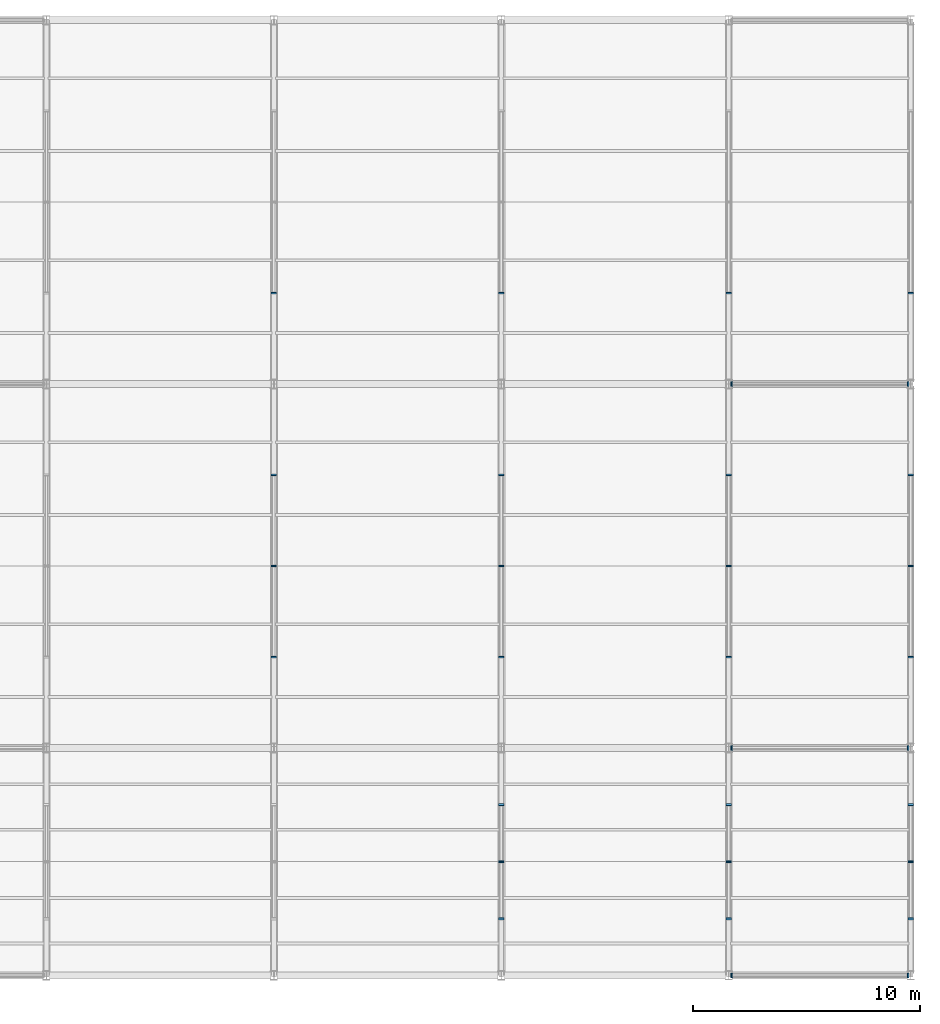
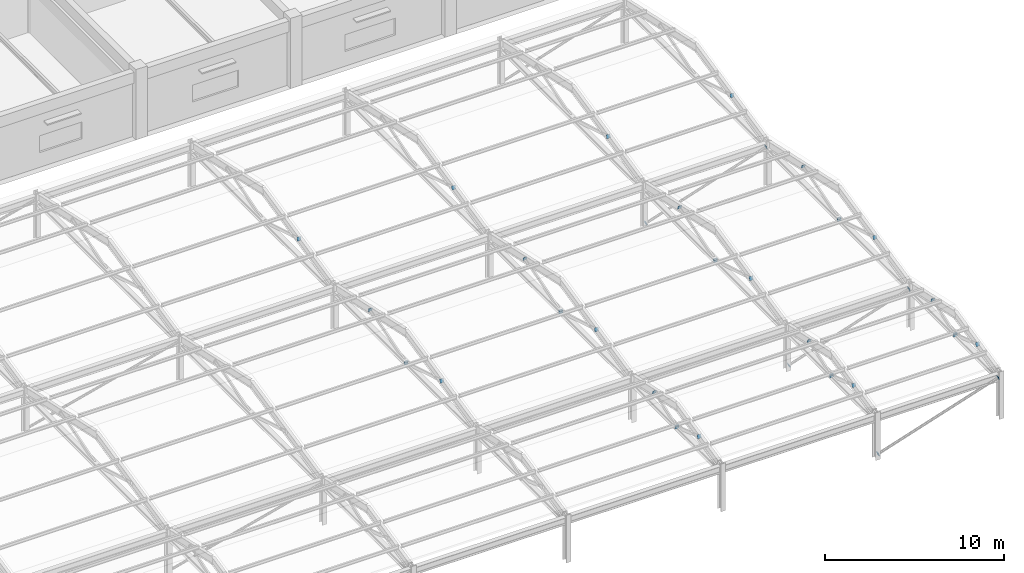
# One storey, part 86 of 109: 38 plates.
"""IFC4 building model written with IfcOpenShell, lengths in metres."""

from ifc_helpers import new_model, si_unit, direction, frame, origin, origin_2d, place, context, subcontext, project, spatial, rectangle, extrude, material, layer, layer_set, type_object, element, save


model = new_model("IFC4")

# Units and contexts
model_context = context("Model", 3, precision=1e-05, world=origin(), true_north=direction((0.0, 1.0)))
body_context = subcontext(model_context, "Body", "Model", "MODEL_VIEW")
ifc_project = project(units=[si_unit("LENGTHUNIT", "METRE"), si_unit("AREAUNIT", "SQUARE_METRE"), si_unit("VOLUMEUNIT", "CUBIC_METRE"), si_unit("PLANEANGLEUNIT", "RADIAN"), si_unit("MASSUNIT", "GRAM", prefix="KILO")], contexts=[model_context])

# Site, building, storey
site_placement = place(None, origin())
site = spatial("IfcSite", under=ifc_project, at=site_placement, CompositionType="ELEMENT")
building_placement = place(site_placement, origin())
building = spatial("IfcBuilding", under=site, at=building_placement, Name="Kivolera Central Railway Station", CompositionType="ELEMENT")
storey_placement = place(building_placement, frame((0.0, 0.0, 9.60009765625)))
storey = spatial("IfcBuildingStorey", under=building, at=storey_placement, Name="L02", CompositionType="ELEMENT", Elevation=9.60009765625)

# Plates
ifc_material = material(Name="Steel S355", Category="steel")
ifc_layer_1 = layer(ifc_material, 0.02001953125, Name="Steel S355")
ifc_layer_set_1 = layer_set([ifc_layer_1], Name="Steel S355")
plate_type_1 = type_object("IfcPlateType", Name="PLT-CAP-210", PredefinedType="SHEET", material=ifc_layer_set_1)
for number, where, z_axis, x_axis, name in (
    (1, (188.123046875, 6.0, 0.2490234375), (0.951662289003, 0.0, 0.307146362001), (0.0, 1.0, 0.0), "Hollow section end-cap plate NP-CAP3"),
    (2, (195.876953125, 6.0, 2.7509765625), (0.951662289003, 0.0, 0.307146362001), (0.0, 1.0, 0.0), "Hollow section end-cap plate NP-CAP3"),
    (3, (188.123046875, 16.0, 0.2490234375), (0.951662289003, 0.0, 0.307146362001), (0.0, 1.0, 0.0), "Hollow section end-cap plate NP-CAP3"),
    (4, (195.876953125, 16.0, 2.7509765625), (0.951662289003, 0.0, 0.307146362001), (0.0, 1.0, 0.0), "Hollow section end-cap plate NP-CAP3"),
    (5, (188.123046875, 32.0, 0.2490234375), (0.951662289003, 0.0, 0.307146362001), (0.0, 1.0, 0.0), "Hollow section end-cap plate NP-CAP3"),
    (6, (195.876953125, 32.0, 2.7509765625), (0.951662289003, 0.0, 0.307146362001), (0.0, 1.0, 0.0), "Hollow section end-cap plate NP-CAP3"),
):
    element("IfcPlate", number, at=place(storey_placement, frame(where, z_axis=z_axis, x_axis=x_axis)), inside=storey, type_object=plate_type_1, Name=name, PredefinedType="SHEET", context=body_context, shape_type="SweptSolid", body=[
        extrude(rectangle(XDim=0.2099609375, YDim=0.2099609375, at=origin_2d()), frame((0.0, 0.0, -0.010009765625)), (0.0, 0.0, 1.0), 0.02001953125),
    ])
ifc_layer_2 = layer(ifc_material, 0.02197265625, Name="Steel S355")
ifc_layer_set_2 = layer_set([ifc_layer_2], Name="Steel S355")
plate_type_2 = type_object("IfcPlateType", Name="PLT-CAP-260", PredefinedType="SHEET", material=ifc_layer_set_2)
for number, where, z_axis, x_axis, name in (
    (7, (168.0, 24.00390625, 2.618896484375), (0.0, -0.958810202665, 0.284047522901), (1.0, 0.0, 0.0), "Hollow section end-cap plate NP-CAP2"),
    (8, (168.0, 19.99609375, 3.805908203125), (0.0, -0.958810202665, 0.284047522901), (1.0, 0.0, 0.0), "Hollow section end-cap plate NP-CAP2"),
    (9, (168.0, 23.99609375, 2.618896484375), (0.0, 0.958810202665, 0.284047522901), (-1.0, 0.0, 0.0), "Hollow section end-cap plate NP-CAP2"),
    (10, (168.0, 28.00390625, 3.805908203125), (0.0, 0.958810202665, 0.284047522901), (-1.0, 0.0, 0.0), "Hollow section end-cap plate NP-CAP2"),
    (11, (168.0, 35.99609375, 3.805908203125), (0.0, -0.958810202665, 0.284047522901), (1.0, 0.0, 0.0), "Hollow section end-cap plate NP-CAP2"),
    (12, (178.0, 11.00390625, 2.618896484375), (0.0, -0.946194484088, 0.32359851403), (1.0, 0.0, 0.0), "Hollow section end-cap plate NP-CAP2"),
    (13, (178.0, 8.49609375, 3.475830078125), (0.0, -0.946194484088, 0.32359851403), (1.0, 0.0, 0.0), "Hollow section end-cap plate NP-CAP2"),
    (14, (178.0, 10.99609375, 2.618896484375), (0.0, 0.946194484088, 0.32359851403), (-1.0, 0.0, 0.0), "Hollow section end-cap plate NP-CAP2"),
    (15, (178.0, 13.50390625, 3.475830078125), (0.0, 0.946194484088, 0.32359851403), (-1.0, 0.0, 0.0), "Hollow section end-cap plate NP-CAP2"),
    (16, (178.0, 24.00390625, 2.618896484375), (0.0, -0.958810202665, 0.284047522901), (1.0, 0.0, 0.0), "Hollow section end-cap plate NP-CAP2"),
    (17, (178.0, 19.99609375, 3.805908203125), (0.0, -0.958810202665, 0.284047522901), (1.0, 0.0, 0.0), "Hollow section end-cap plate NP-CAP2"),
    (18, (178.0, 23.99609375, 2.618896484375), (0.0, 0.958810202665, 0.284047522901), (-1.0, 0.0, 0.0), "Hollow section end-cap plate NP-CAP2"),
    (19, (178.0, 28.00390625, 3.805908203125), (0.0, 0.958810202665, 0.284047522901), (-1.0, 0.0, 0.0), "Hollow section end-cap plate NP-CAP2"),
    (20, (178.0, 35.99609375, 3.805908203125), (0.0, -0.958810202665, 0.284047522901), (1.0, 0.0, 0.0), "Hollow section end-cap plate NP-CAP2"),
    (21, (188.0, 11.00390625, 2.618896484375), (0.0, -0.946194484088, 0.32359851403), (1.0, 0.0, 0.0), "Hollow section end-cap plate NP-CAP2"),
    (22, (188.0, 8.49609375, 3.475830078125), (0.0, -0.946194484088, 0.32359851403), (1.0, 0.0, 0.0), "Hollow section end-cap plate NP-CAP2"),
    (23, (188.0, 10.99609375, 2.618896484375), (0.0, 0.946194484088, 0.32359851403), (-1.0, 0.0, 0.0), "Hollow section end-cap plate NP-CAP2"),
    (24, (188.0, 13.50390625, 3.475830078125), (0.0, 0.946194484088, 0.32359851403), (-1.0, 0.0, 0.0), "Hollow section end-cap plate NP-CAP2"),
    (25, (188.0, 24.00390625, 2.618896484375), (0.0, -0.958810202665, 0.284047522901), (1.0, 0.0, 0.0), "Hollow section end-cap plate NP-CAP2"),
    (26, (188.0, 19.99609375, 3.805908203125), (0.0, -0.958810202665, 0.284047522901), (1.0, 0.0, 0.0), "Hollow section end-cap plate NP-CAP2"),
    (27, (188.0, 23.99609375, 2.618896484375), (0.0, 0.958810202665, 0.284047522901), (-1.0, 0.0, 0.0), "Hollow section end-cap plate NP-CAP2"),
    (28, (188.0, 28.00390625, 3.805908203125), (0.0, 0.958810202665, 0.284047522901), (-1.0, 0.0, 0.0), "Hollow section end-cap plate NP-CAP2"),
    (29, (188.0, 35.99609375, 3.805908203125), (0.0, -0.958810202665, 0.284047522901), (1.0, 0.0, 0.0), "Hollow section end-cap plate NP-CAP2"),
    (30, (196.0, 11.00390625, 2.618896484375), (0.0, -0.946194484088, 0.32359851403), (1.0, 0.0, 0.0), "Hollow section end-cap plate NP-CAP2"),
    (31, (196.0, 8.49609375, 3.475830078125), (0.0, -0.946194484088, 0.32359851403), (1.0, 0.0, 0.0), "Hollow section end-cap plate NP-CAP2"),
    (32, (196.0, 10.99609375, 2.618896484375), (0.0, 0.946194484088, 0.32359851403), (-1.0, 0.0, 0.0), "Hollow section end-cap plate NP-CAP2"),
    (33, (196.0, 13.50390625, 3.475830078125), (0.0, 0.946194484088, 0.32359851403), (-1.0, 0.0, 0.0), "Hollow section end-cap plate NP-CAP2"),
    (34, (196.0, 24.00390625, 2.618896484375), (0.0, -0.958810202665, 0.284047522901), (1.0, 0.0, 0.0), "Hollow section end-cap plate NP-CAP2"),
    (35, (196.0, 19.99609375, 3.805908203125), (0.0, -0.958810202665, 0.284047522901), (1.0, 0.0, 0.0), "Hollow section end-cap plate NP-CAP2"),
    (36, (196.0, 23.99609375, 2.618896484375), (0.0, 0.958810202665, 0.284047522901), (-1.0, 0.0, 0.0), "Hollow section end-cap plate NP-CAP2"),
    (37, (196.0, 28.00390625, 3.805908203125), (0.0, 0.958810202665, 0.284047522901), (-1.0, 0.0, 0.0), "Hollow section end-cap plate NP-CAP2"),
    (38, (196.0, 35.99609375, 3.805908203125), (0.0, -0.958810202665, 0.284047522901), (1.0, 0.0, 0.0), "Hollow section end-cap plate NP-CAP2"),
):
    element("IfcPlate", number, at=place(storey_placement, frame(where, z_axis=z_axis, x_axis=x_axis)), inside=storey, type_object=plate_type_2, Name=name, PredefinedType="SHEET", context=body_context, shape_type="SweptSolid", body=[
        extrude(rectangle(XDim=0.239990234375, YDim=0.239990234375, at=origin_2d()), frame((0.0, 0.0, -0.010986328125)), (0.0, 0.0, 1.0), 0.02197265625),
    ])

save(model, "model.ifc")
